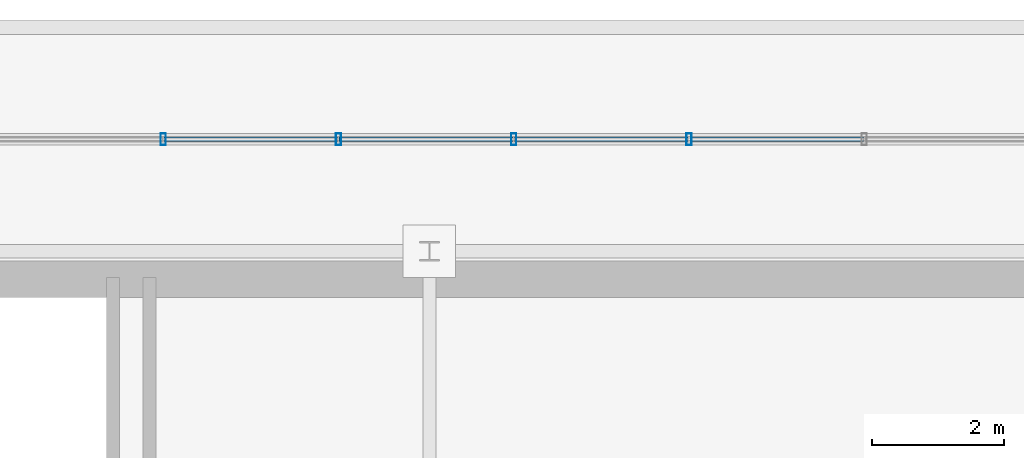
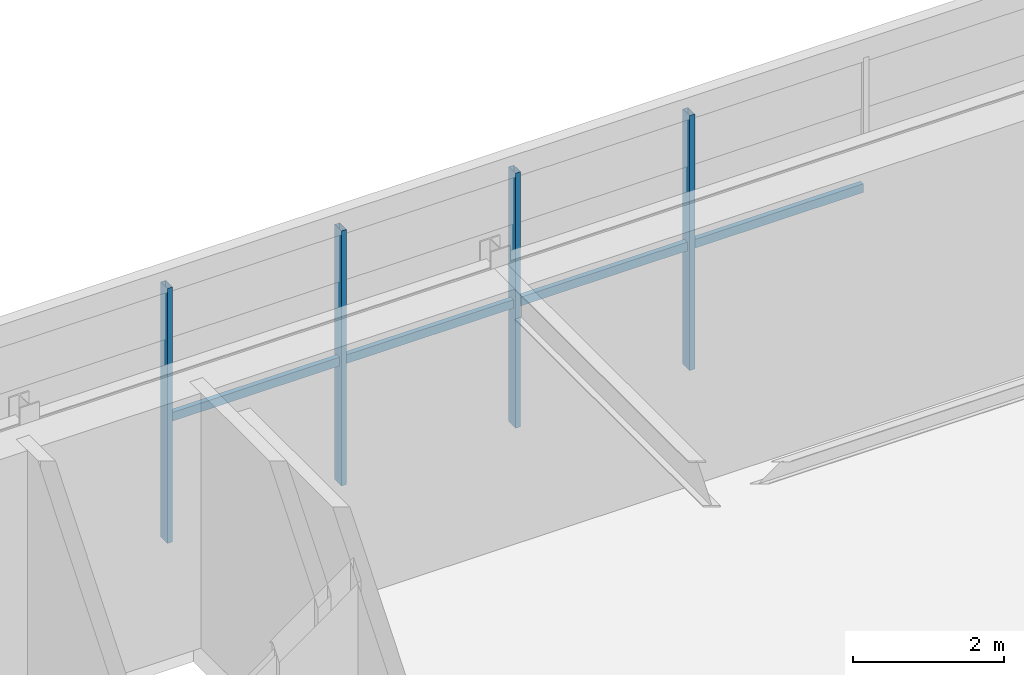
# One storey, part 20 of 38: 8 members, 1 element without a shape of its own.
"""IFC4 building model written with IfcOpenShell, lengths in metres."""

from ifc_helpers import new_model, si_unit, direction, frame, origin, origin_2d, place, context, subcontext, project, spatial, hollow_rectangle, extrude, source, transform, mapped, material, material_profile, profile_set, type_object, element, aggregate, save


model = new_model("IFC4")

# Units and contexts
model_context = context("Model", 3, precision=1e-05, world=origin(), true_north=direction((0.0, 1.0)))
body_context = subcontext(model_context, "Body", "Model", "MODEL_VIEW")
ifc_project = project(units=[si_unit("LENGTHUNIT", "METRE"), si_unit("AREAUNIT", "SQUARE_METRE"), si_unit("VOLUMEUNIT", "CUBIC_METRE"), si_unit("PLANEANGLEUNIT", "RADIAN"), si_unit("MASSUNIT", "GRAM", prefix="KILO")], contexts=[model_context])

# Site, building, storey
site_placement = place(None, origin())
site = spatial("IfcSite", under=ifc_project, at=site_placement, CompositionType="ELEMENT")
building_placement = place(site_placement, origin())
building = spatial("IfcBuilding", under=site, at=building_placement, Name="Trelvane Seafront Commons", CompositionType="ELEMENT")
storey_placement = place(building_placement, frame((0.0, 0.0, 299.10009765625)))
storey = spatial("IfcBuildingStorey", under=building, at=storey_placement, Name="L78", CompositionType="ELEMENT", Elevation=299.10009765625)

# Curtain wall, members
ifc_material = material(Name="Anodised pale-silver aluminium", Category="aluminium")
curtain_wall_type = type_object("IfcCurtainWallType", Name="ARCH-CW6-CROWN", PredefinedType="NOTDEFINED", material=ifc_material)
curtain_wall_placement = place(storey_placement, origin())
curtain_wall = element("IfcCurtainWall", 1, at=curtain_wall_placement, inside=storey, type_object=curtain_wall_type, Name="CW-L78-0125", PredefinedType="NOTDEFINED")
ifc_material_profile_1 = material_profile(ifc_material, hollow_rectangle(XDim=0.080078125, YDim=0.179931640625, WallThickness=0.00439453125, at=origin_2d()), Name="MULL-80x180x4.5")
ifc_profile_set_1 = profile_set([ifc_material_profile_1], Name="Anodised pale-silver aluminium")
member_type_1 = type_object("IfcMemberType", Name="ARCH-CW-MULL-180", PredefinedType="MULLION", material=ifc_profile_set_1)
shared_shape_1 = source(origin(), body_context, "Body", "SweptSolid", [
    extrude(hollow_rectangle(XDim=0.080078125, YDim=0.179931640625, WallThickness=0.00439453125, at=origin_2d()), origin(), (0.0, 0.0, 1.0), 4.119873046875),
])
member_1_placement = place(storey_placement, frame((26.56005859375, 46.800048828125, 0.0), z_axis=(0.0, 0.0, 1.0), x_axis=(1.0, 0.0, 0.0)))
member_1 = element("IfcMember", 2, at=member_1_placement, type_object=member_type_1, Name="CW-L78-0125-M06", PredefinedType="MULLION", context=body_context, shape_type="MappedRepresentation", body=[
    mapped(shared_shape_1, transform((0.0, 0.0, 0.0), x_axis=(1.0, 0.0, 0.0), y_axis=(0.0, 1.0, 0.0), z_axis=(0.0, 0.0, 1.0), scale=1.0)),
])
member_2_placement = place(storey_placement, frame((29.219970703125, 46.800048828125, 0.0), z_axis=(0.0, 0.0, 1.0), x_axis=(1.0, 0.0, 0.0)))
member_2 = element("IfcMember", 3, at=member_2_placement, type_object=member_type_1, Name="CW-L78-0125-M07", PredefinedType="MULLION", context=body_context, shape_type="MappedRepresentation", body=[
    mapped(shared_shape_1, transform((0.0, 0.0, 0.0), x_axis=(1.0, 0.0, 0.0), y_axis=(0.0, 1.0, 0.0), z_axis=(0.0, 0.0, 1.0), scale=1.0)),
])
member_3_placement = place(storey_placement, frame((31.8798828125, 46.800048828125, 0.0), z_axis=(0.0, 0.0, 1.0), x_axis=(1.0, 0.0, 0.0)))
member_3 = element("IfcMember", 4, at=member_3_placement, type_object=member_type_1, Name="CW-L78-0125-M08", PredefinedType="MULLION", context=body_context, shape_type="MappedRepresentation", body=[
    mapped(shared_shape_1, transform((0.0, 0.0, 0.0), x_axis=(1.0, 0.0, 0.0), y_axis=(0.0, 1.0, 0.0), z_axis=(0.0, 0.0, 1.0), scale=1.0)),
])
member_4_placement = place(storey_placement, frame((34.5400390625, 46.800048828125, 0.0), z_axis=(0.0, 0.0, 1.0), x_axis=(1.0, 0.0, 0.0)))
member_4 = element("IfcMember", 5, at=member_4_placement, type_object=member_type_1, Name="CW-L78-0125-M09", PredefinedType="MULLION", context=body_context, shape_type="MappedRepresentation", body=[
    mapped(shared_shape_1, transform((0.0, 0.0, 0.0), x_axis=(1.0, 0.0, 0.0), y_axis=(0.0, 1.0, 0.0), z_axis=(0.0, 0.0, 1.0), scale=1.0)),
])
ifc_material_profile_2 = material_profile(ifc_material, hollow_rectangle(XDim=0.074951171875, YDim=0.139892578125, WallThickness=0.00390625, at=origin_2d()), Name="TRAN-75x140x4")
ifc_profile_set_2 = profile_set([ifc_material_profile_2], Name="Anodised pale-silver aluminium")
member_type_2 = type_object("IfcMemberType", Name="ARCH-CW-TRAN-140", PredefinedType="USERDEFINED", material=ifc_profile_set_2)
shared_shape_2 = source(origin(), body_context, "Body", "SweptSolid", [
    extrude(hollow_rectangle(XDim=0.074951171875, YDim=0.139892578125, WallThickness=0.00390625, at=origin_2d()), origin(), (0.0, 0.0, 1.0), 2.635986328125),
])
member_5_placement = place(storey_placement, frame((26.572021484375, 46.800048828125, 1.977783203125), z_axis=(1.0, 0.0, 0.0), x_axis=(0.0, 1.0, 0.0)))
member_5 = element("IfcMember", 6, at=member_5_placement, type_object=member_type_2, Name="CW-L78-0125-T06", ObjectType="TRANSOM", PredefinedType="USERDEFINED", context=body_context, shape_type="MappedRepresentation", body=[
    mapped(shared_shape_2, transform((0.0, 0.0, 0.0), x_axis=(1.0, 0.0, 0.0), y_axis=(0.0, 1.0, 0.0), z_axis=(0.0, 0.0, 1.0), scale=1.0)),
])
member_6_placement = place(storey_placement, frame((29.23193359375, 46.800048828125, 1.977783203125), z_axis=(1.0, 0.0, 0.0), x_axis=(0.0, 1.0, 0.0)))
member_6 = element("IfcMember", 7, at=member_6_placement, type_object=member_type_2, Name="CW-L78-0125-T07", ObjectType="TRANSOM", PredefinedType="USERDEFINED", context=body_context, shape_type="MappedRepresentation", body=[
    mapped(shared_shape_2, transform((0.0, 0.0, 0.0), x_axis=(1.0, 0.0, 0.0), y_axis=(0.0, 1.0, 0.0), z_axis=(0.0, 0.0, 1.0), scale=1.0)),
])
member_7_placement = place(storey_placement, frame((31.89208984375, 46.800048828125, 1.977783203125), z_axis=(1.0, 0.0, 0.0), x_axis=(0.0, 1.0, 0.0)))
member_7 = element("IfcMember", 8, at=member_7_placement, type_object=member_type_2, Name="CW-L78-0125-T08", ObjectType="TRANSOM", PredefinedType="USERDEFINED", context=body_context, shape_type="MappedRepresentation", body=[
    mapped(shared_shape_2, transform((0.0, 0.0, 0.0), x_axis=(1.0, 0.0, 0.0), y_axis=(0.0, 1.0, 0.0), z_axis=(0.0, 0.0, 1.0), scale=1.0)),
])
member_8_placement = place(storey_placement, frame((34.552001953125, 46.800048828125, 1.977783203125), z_axis=(1.0, 0.0, 0.0), x_axis=(0.0, 1.0, 0.0)))
member_8 = element("IfcMember", 9, at=member_8_placement, type_object=member_type_2, Name="CW-L78-0125-T09", ObjectType="TRANSOM", PredefinedType="USERDEFINED", context=body_context, shape_type="MappedRepresentation", body=[
    mapped(shared_shape_2, transform((0.0, 0.0, 0.0), x_axis=(1.0, 0.0, 0.0), y_axis=(0.0, 1.0, 0.0), z_axis=(0.0, 0.0, 1.0), scale=1.0)),
])
aggregate(curtain_wall, [member_1, member_2, member_3, member_4, member_5, member_6, member_7, member_8])

save(model, "model.ifc")
